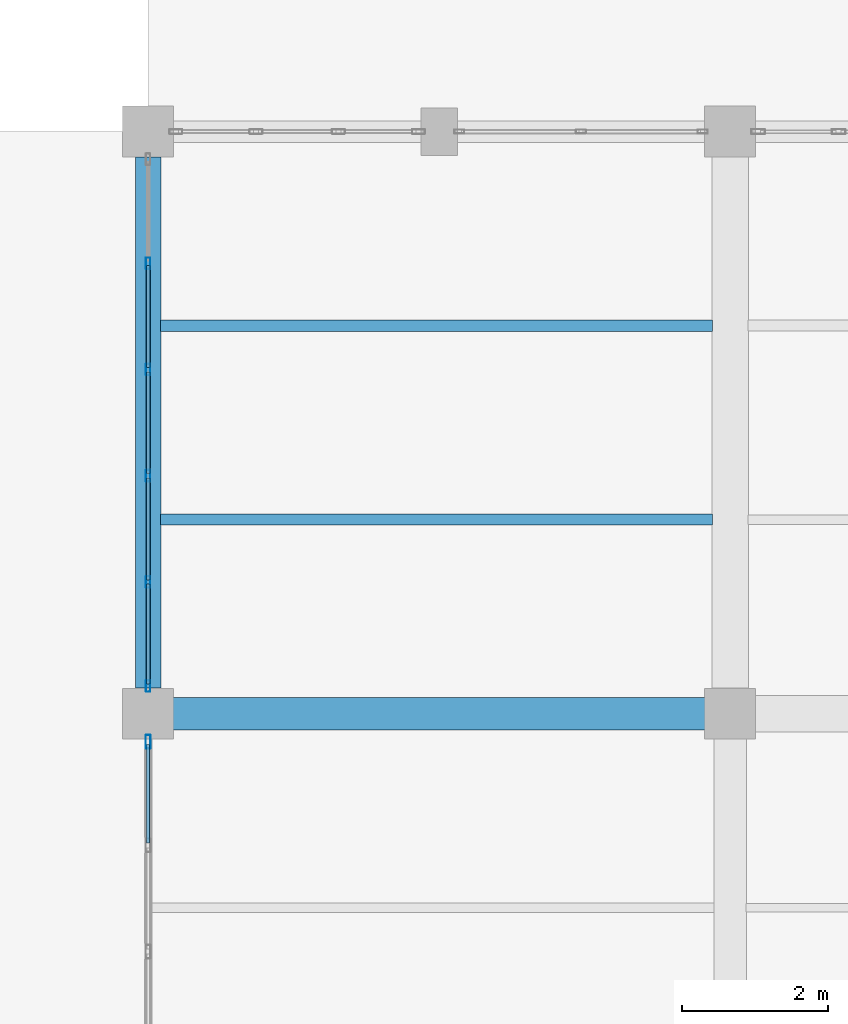
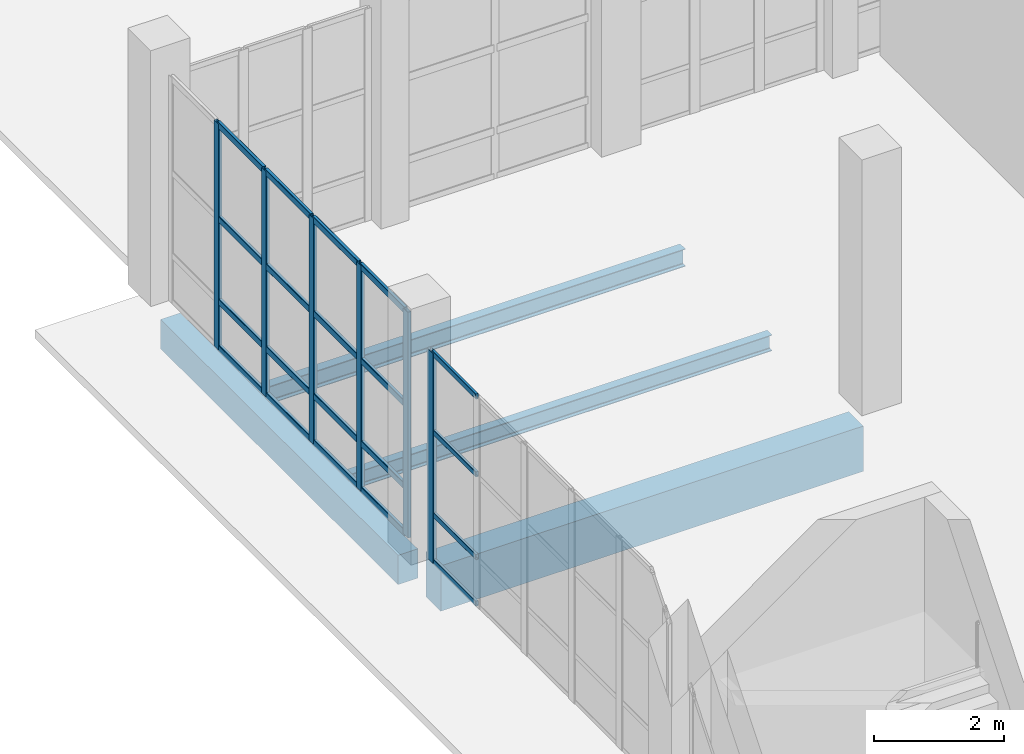
# One storey, part 10 of 156: 26 members, 4 beams, 2 elements without a shape of their own.
"""IFC4 building model written with IfcOpenShell, lengths in metres."""

from ifc_helpers import new_model, si_unit, direction, frame, origin, origin_2d, place, context, subcontext, project, spatial, rectangle, hollow_rectangle, i_section, extrude, material, material_profile, profile_set, type_object, element, aggregate, save


model = new_model("IFC4")

# Units and contexts
model_context = context("Model", 3, precision=1e-05, world=origin(), true_north=direction((0.0, 1.0)))
body_context = subcontext(model_context, "Body", "Model", "MODEL_VIEW")
ifc_project = project(units=[si_unit("LENGTHUNIT", "METRE"), si_unit("AREAUNIT", "SQUARE_METRE"), si_unit("VOLUMEUNIT", "CUBIC_METRE"), si_unit("PLANEANGLEUNIT", "RADIAN"), si_unit("MASSUNIT", "GRAM", prefix="KILO")], contexts=[model_context])

# Site, building, storey
site_placement = place(None, origin())
site = spatial("IfcSite", under=ifc_project, at=site_placement, CompositionType="ELEMENT")
building_placement = place(site_placement, origin())
building = spatial("IfcBuilding", under=site, at=building_placement, Name="Luwemba Playhouse", CompositionType="ELEMENT")
storey_placement = place(building_placement, origin())
storey = spatial("IfcBuildingStorey", under=building, at=storey_placement, Name="L00", CompositionType="ELEMENT", Elevation=0.0)

# Beams
ifc_material_1 = material(Name="Concrete C40/50", Category="concrete")
ifc_material_profile_1 = material_profile(ifc_material_1, rectangle(XDim=0.449951171875, YDim=0.85009765625, at=origin_2d()))
ifc_profile_set_1 = profile_set([ifc_material_profile_1], Name="Concrete C40/50")
beam_type_1 = type_object("IfcBeamType", Name="BM-RB05", PredefinedType="BEAM", material=ifc_profile_set_1)
beam_1_placement = place(storey_placement, frame((4.25, 19.0, -0.72509765625), z_axis=(1.0, 0.0, 0.0), x_axis=(0.0, 1.0, 0.0)))
element("IfcBeam", 1, at=beam_1_placement, inside=storey, type_object=beam_type_1, Name="L00 grid girder 0164", PredefinedType="BEAM", context=body_context, shape_type="SweptSolid", body=[
    extrude(rectangle(XDim=0.449951171875, YDim=0.85009765625, at=origin_2d()), origin(), (0.0, 0.0, 1.0), 7.5),
])
ifc_material_2 = material(Name="Steel S355", Category="steel")
ifc_material_profile_2 = material_profile(ifc_material_2, i_section(OverallWidth=0.14990234375, OverallDepth=0.300048828125, WebThickness=0.007080078125, FlangeThickness=0.0107421875, FilletRadius=0.014892578125, at=origin_2d()))
ifc_profile_set_2 = profile_set([ifc_material_profile_2], Name="Steel S355")
beam_type_2 = type_object("IfcBeamType", Name="BM-SJ05", PredefinedType="JOIST", material=ifc_profile_set_2)
beam_2_placement = place(storey_placement, frame((4.1708984375, 21.666748046875, -0.449951171875), z_axis=(1.0, 0.0, 0.0), x_axis=(0.0, 1.0, 0.0)))
element("IfcBeam", 2, at=beam_2_placement, inside=storey, type_object=beam_type_2, Name="L00 composite floor joist 0121", PredefinedType="JOIST", context=body_context, shape_type="SweptSolid", body=[
    extrude(i_section(OverallWidth=0.14990234375, OverallDepth=0.300048828125, WebThickness=0.007080078125, FlangeThickness=0.0107421875, FilletRadius=0.014892578125, at=origin_2d()), origin(), (0.0, 0.0, 1.0), 7.5830078125),
])
ifc_material_profile_3 = material_profile(ifc_material_2, i_section(OverallWidth=0.159912109375, OverallDepth=0.330078125, WebThickness=0.007568359375, FlangeThickness=0.011474609375, FilletRadius=0.01806640625, at=origin_2d()))
ifc_profile_set_3 = profile_set([ifc_material_profile_3], Name="Steel S355")
beam_type_3 = type_object("IfcBeamType", Name="BM-SJ06", PredefinedType="JOIST", material=ifc_profile_set_3)
beam_3_placement = place(storey_placement, frame((4.1708984375, 24.333251953125, -0.465087890625), z_axis=(1.0, 0.0, 0.0), x_axis=(0.0, 1.0, 0.0)))
element("IfcBeam", 3, at=beam_3_placement, inside=storey, type_object=beam_type_3, Name="L00 composite floor joist 0122", PredefinedType="JOIST", context=body_context, shape_type="SweptSolid", body=[
    extrude(i_section(OverallWidth=0.159912109375, OverallDepth=0.330078125, WebThickness=0.007568359375, FlangeThickness=0.011474609375, FilletRadius=0.01806640625, at=origin_2d()), origin(), (0.0, 0.0, 1.0), 7.5830078125),
])
ifc_material_profile_4 = material_profile(ifc_material_1, rectangle(XDim=0.35009765625, YDim=0.550048828125, at=origin_2d()))
ifc_profile_set_4 = profile_set([ifc_material_profile_4], Name="Concrete C40/50")
beam_type_4 = type_object("IfcBeamType", Name="BM-SP2", PredefinedType="SPANDREL", material=ifc_profile_set_4)
beam_4_placement = place(storey_placement, frame((4.0, 19.35009765625, -0.574951171875), z_axis=(0.0, 1.0, 0.0), x_axis=(-1.0, 0.0, 0.0)))
element("IfcBeam", 4, at=beam_4_placement, inside=storey, type_object=beam_type_4, Name="L00 transverse girder 0180", PredefinedType="SPANDREL", context=body_context, shape_type="SweptSolid", body=[
    extrude(rectangle(XDim=0.35009765625, YDim=0.550048828125, at=origin_2d()), origin(), (0.0, 0.0, 1.0), 7.2998046875),
])

# Curtain wall, members
ifc_material_3 = material(Name="Solar-control double glazing", Category="glass")
curtain_wall_type_1 = type_object("IfcCurtainWallType", Name="CW-CW25", PredefinedType="USERDEFINED", material=ifc_material_3)
curtain_wall_1_placement = place(storey_placement, origin())
curtain_wall_1 = element("IfcCurtainWall", 5, at=curtain_wall_1_placement, inside=storey, type_object=curtain_wall_type_1, Name="L00 V5W unitised curtain wall 027", ObjectType="UNITISED GLAZING", PredefinedType="USERDEFINED")
ifc_material_4 = material(Name="Aluminium 6063-T6", Category="aluminium")
ifc_material_profile_5 = material_profile(ifc_material_4, hollow_rectangle(XDim=0.06005859375, YDim=0.159912109375, WallThickness=0.00390625, InnerFilletRadius=0.006103515625, OuterFilletRadius=0.010009765625, at=origin_2d()))
ifc_profile_set_5 = profile_set([ifc_material_profile_5], Name="Aluminium 6063-T6")
member_type_1 = type_object("IfcMemberType", Name="CWM-M1", PredefinedType="MULLION", material=ifc_profile_set_5)
member_1_placement = place(storey_placement, frame((4.0, 19.3798828125, 0.0), z_axis=(0.0, 0.0, 1.0), x_axis=(-1.0, 0.0, 0.0)))
member_1 = element("IfcMember", 6, at=member_1_placement, type_object=member_type_1, Name="CW25 mullion 1", PredefinedType="MULLION", context=body_context, shape_type="SweptSolid", body=[
    extrude(hollow_rectangle(XDim=0.06005859375, YDim=0.159912109375, WallThickness=0.00390625, InnerFilletRadius=0.006103515625, OuterFilletRadius=0.010009765625, at=origin_2d()), origin(), (0.0, 0.0, 1.0), 4.235107421875),
])
member_2_placement = place(storey_placement, frame((4.0, 20.81005859375, 0.0), z_axis=(0.0, 0.0, 1.0), x_axis=(-1.0, 0.0, 0.0)))
member_2 = element("IfcMember", 7, at=member_2_placement, type_object=member_type_1, Name="CW25 mullion 2", PredefinedType="MULLION", context=body_context, shape_type="SweptSolid", body=[
    extrude(hollow_rectangle(XDim=0.06005859375, YDim=0.159912109375, WallThickness=0.00390625, InnerFilletRadius=0.006103515625, OuterFilletRadius=0.010009765625, at=origin_2d()), origin(), (0.0, 0.0, 1.0), 4.235107421875),
])
member_3_placement = place(storey_placement, frame((4.0, 22.27001953125, 0.0), z_axis=(0.0, 0.0, 1.0), x_axis=(-1.0, 0.0, 0.0)))
member_3 = element("IfcMember", 8, at=member_3_placement, type_object=member_type_1, Name="CW25 mullion 3", PredefinedType="MULLION", context=body_context, shape_type="SweptSolid", body=[
    extrude(hollow_rectangle(XDim=0.06005859375, YDim=0.159912109375, WallThickness=0.00390625, InnerFilletRadius=0.006103515625, OuterFilletRadius=0.010009765625, at=origin_2d()), origin(), (0.0, 0.0, 1.0), 4.235107421875),
])
member_4_placement = place(storey_placement, frame((4.0, 23.72998046875, 0.0), z_axis=(0.0, 0.0, 1.0), x_axis=(-1.0, 0.0, 0.0)))
member_4 = element("IfcMember", 9, at=member_4_placement, type_object=member_type_1, Name="CW25 mullion 4", PredefinedType="MULLION", context=body_context, shape_type="SweptSolid", body=[
    extrude(hollow_rectangle(XDim=0.06005859375, YDim=0.159912109375, WallThickness=0.00390625, InnerFilletRadius=0.006103515625, OuterFilletRadius=0.010009765625, at=origin_2d()), origin(), (0.0, 0.0, 1.0), 4.235107421875),
])
member_5_placement = place(storey_placement, frame((4.0, 25.18994140625, 0.0), z_axis=(0.0, 0.0, 1.0), x_axis=(-1.0, 0.0, 0.0)))
member_5 = element("IfcMember", 10, at=member_5_placement, type_object=member_type_1, Name="CW25 mullion 5", PredefinedType="MULLION", context=body_context, shape_type="SweptSolid", body=[
    extrude(hollow_rectangle(XDim=0.06005859375, YDim=0.159912109375, WallThickness=0.00390625, InnerFilletRadius=0.006103515625, OuterFilletRadius=0.010009765625, at=origin_2d()), origin(), (0.0, 0.0, 1.0), 4.235107421875),
])

# Curtain wall, member
curtain_wall_type_2 = type_object("IfcCurtainWallType", Name="CW-CW24", PredefinedType="USERDEFINED", material=ifc_material_3)
curtain_wall_2_placement = place(storey_placement, origin())
curtain_wall_2 = element("IfcCurtainWall", 11, at=curtain_wall_2_placement, inside=storey, type_object=curtain_wall_type_2, Name="L00 V5W unitised curtain wall 026", ObjectType="UNITISED GLAZING", PredefinedType="USERDEFINED")
ifc_material_profile_6 = material_profile(ifc_material_4, hollow_rectangle(XDim=0.070068359375, YDim=0.18994140625, WallThickness=0.0048828125, InnerFilletRadius=0.007568359375, OuterFilletRadius=0.012451171875, at=origin_2d()))
ifc_profile_set_6 = profile_set([ifc_material_profile_6], Name="Aluminium 6063-T6")
member_type_2 = type_object("IfcMemberType", Name="CWM-M4", PredefinedType="MULLION", material=ifc_profile_set_6)
member_6_placement = place(storey_placement, frame((4.0, 18.614990234375, 0.0), z_axis=(0.0, 0.0, 1.0), x_axis=(-1.0, 0.0, 0.0)))
member_6 = element("IfcMember", 12, at=member_6_placement, type_object=member_type_2, Name="CW24 mullion 6", PredefinedType="MULLION", context=body_context, shape_type="SweptSolid", body=[
    extrude(hollow_rectangle(XDim=0.070068359375, YDim=0.18994140625, WallThickness=0.0048828125, InnerFilletRadius=0.007568359375, OuterFilletRadius=0.012451171875, at=origin_2d()), origin(), (0.0, 0.0, 1.0), 3.93505859375),
])

# Member
ifc_material_profile_7 = material_profile(ifc_material_4, hollow_rectangle(XDim=0.06005859375, YDim=0.1201171875, WallThickness=0.00390625, InnerFilletRadius=0.006103515625, OuterFilletRadius=0.010009765625, at=origin_2d()))
ifc_profile_set_7 = profile_set([ifc_material_profile_7], Name="Aluminium 6063-T6")
member_type_3 = type_object("IfcMemberType", Name="CWT-T1", PredefinedType="USERDEFINED", material=ifc_profile_set_7)
member_7_placement = place(storey_placement, frame((4.0, 19.409912109375, 0.030029296875), z_axis=(0.0, 1.0, 0.0), x_axis=(-1.0, 0.0, 0.0)))
member_7 = element("IfcMember", 13, at=member_7_placement, type_object=member_type_3, Name="CW25 transom 1.1", ObjectType="TRANSOM", PredefinedType="USERDEFINED", context=body_context, shape_type="SweptSolid", body=[
    extrude(hollow_rectangle(XDim=0.06005859375, YDim=0.1201171875, WallThickness=0.00390625, InnerFilletRadius=0.006103515625, OuterFilletRadius=0.010009765625, at=origin_2d()), origin(), (0.0, 0.0, 1.0), 1.3701171875),
])

member_8_placement = place(storey_placement, frame((4.0, 19.409912109375, 0.89990234375), z_axis=(0.0, 1.0, 0.0), x_axis=(-1.0, 0.0, 0.0)))
member_8 = element("IfcMember", 14, at=member_8_placement, type_object=member_type_3, Name="CW25 transom 1.2", ObjectType="TRANSOM", PredefinedType="USERDEFINED", context=body_context, shape_type="SweptSolid", body=[
    extrude(hollow_rectangle(XDim=0.06005859375, YDim=0.1201171875, WallThickness=0.00390625, InnerFilletRadius=0.006103515625, OuterFilletRadius=0.010009765625, at=origin_2d()), origin(), (0.0, 0.0, 1.0), 1.3701171875),
])

member_9_placement = place(storey_placement, frame((4.0, 19.409912109375, 2.449951171875), z_axis=(0.0, 1.0, 0.0), x_axis=(-1.0, 0.0, 0.0)))
member_9 = element("IfcMember", 15, at=member_9_placement, type_object=member_type_3, Name="CW25 transom 1.3", ObjectType="TRANSOM", PredefinedType="USERDEFINED", context=body_context, shape_type="SweptSolid", body=[
    extrude(hollow_rectangle(XDim=0.06005859375, YDim=0.1201171875, WallThickness=0.00390625, InnerFilletRadius=0.006103515625, OuterFilletRadius=0.010009765625, at=origin_2d()), origin(), (0.0, 0.0, 1.0), 1.3701171875),
])

member_10_placement = place(storey_placement, frame((4.0, 19.409912109375, 4.205078125), z_axis=(0.0, 1.0, 0.0), x_axis=(-1.0, 0.0, 0.0)))
member_10 = element("IfcMember", 16, at=member_10_placement, type_object=member_type_3, Name="CW25 transom 1.4", ObjectType="TRANSOM", PredefinedType="USERDEFINED", context=body_context, shape_type="SweptSolid", body=[
    extrude(hollow_rectangle(XDim=0.06005859375, YDim=0.1201171875, WallThickness=0.00390625, InnerFilletRadius=0.006103515625, OuterFilletRadius=0.010009765625, at=origin_2d()), origin(), (0.0, 0.0, 1.0), 1.3701171875),
])

member_11_placement = place(storey_placement, frame((4.0, 20.840087890625, 0.030029296875), z_axis=(0.0, 1.0, 0.0), x_axis=(-1.0, 0.0, 0.0)))
member_11 = element("IfcMember", 17, at=member_11_placement, type_object=member_type_3, Name="CW25 transom 2.1", ObjectType="TRANSOM", PredefinedType="USERDEFINED", context=body_context, shape_type="SweptSolid", body=[
    extrude(hollow_rectangle(XDim=0.06005859375, YDim=0.1201171875, WallThickness=0.00390625, InnerFilletRadius=0.006103515625, OuterFilletRadius=0.010009765625, at=origin_2d()), origin(), (0.0, 0.0, 1.0), 1.39990234375),
])

member_12_placement = place(storey_placement, frame((4.0, 20.840087890625, 0.89990234375), z_axis=(0.0, 1.0, 0.0), x_axis=(-1.0, 0.0, 0.0)))
member_12 = element("IfcMember", 18, at=member_12_placement, type_object=member_type_3, Name="CW25 transom 2.2", ObjectType="TRANSOM", PredefinedType="USERDEFINED", context=body_context, shape_type="SweptSolid", body=[
    extrude(hollow_rectangle(XDim=0.06005859375, YDim=0.1201171875, WallThickness=0.00390625, InnerFilletRadius=0.006103515625, OuterFilletRadius=0.010009765625, at=origin_2d()), origin(), (0.0, 0.0, 1.0), 1.39990234375),
])

member_13_placement = place(storey_placement, frame((4.0, 20.840087890625, 2.449951171875), z_axis=(0.0, 1.0, 0.0), x_axis=(-1.0, 0.0, 0.0)))
member_13 = element("IfcMember", 19, at=member_13_placement, type_object=member_type_3, Name="CW25 transom 2.3", ObjectType="TRANSOM", PredefinedType="USERDEFINED", context=body_context, shape_type="SweptSolid", body=[
    extrude(hollow_rectangle(XDim=0.06005859375, YDim=0.1201171875, WallThickness=0.00390625, InnerFilletRadius=0.006103515625, OuterFilletRadius=0.010009765625, at=origin_2d()), origin(), (0.0, 0.0, 1.0), 1.39990234375),
])

member_14_placement = place(storey_placement, frame((4.0, 20.840087890625, 4.205078125), z_axis=(0.0, 1.0, 0.0), x_axis=(-1.0, 0.0, 0.0)))
member_14 = element("IfcMember", 20, at=member_14_placement, type_object=member_type_3, Name="CW25 transom 2.4", ObjectType="TRANSOM", PredefinedType="USERDEFINED", context=body_context, shape_type="SweptSolid", body=[
    extrude(hollow_rectangle(XDim=0.06005859375, YDim=0.1201171875, WallThickness=0.00390625, InnerFilletRadius=0.006103515625, OuterFilletRadius=0.010009765625, at=origin_2d()), origin(), (0.0, 0.0, 1.0), 1.39990234375),
])

member_15_placement = place(storey_placement, frame((4.0, 22.300048828125, 0.030029296875), z_axis=(0.0, 1.0, 0.0), x_axis=(-1.0, 0.0, 0.0)))
member_15 = element("IfcMember", 21, at=member_15_placement, type_object=member_type_3, Name="CW25 transom 3.1", ObjectType="TRANSOM", PredefinedType="USERDEFINED", context=body_context, shape_type="SweptSolid", body=[
    extrude(hollow_rectangle(XDim=0.06005859375, YDim=0.1201171875, WallThickness=0.00390625, InnerFilletRadius=0.006103515625, OuterFilletRadius=0.010009765625, at=origin_2d()), origin(), (0.0, 0.0, 1.0), 1.39990234375),
])

member_16_placement = place(storey_placement, frame((4.0, 22.300048828125, 0.89990234375), z_axis=(0.0, 1.0, 0.0), x_axis=(-1.0, 0.0, 0.0)))
member_16 = element("IfcMember", 22, at=member_16_placement, type_object=member_type_3, Name="CW25 transom 3.2", ObjectType="TRANSOM", PredefinedType="USERDEFINED", context=body_context, shape_type="SweptSolid", body=[
    extrude(hollow_rectangle(XDim=0.06005859375, YDim=0.1201171875, WallThickness=0.00390625, InnerFilletRadius=0.006103515625, OuterFilletRadius=0.010009765625, at=origin_2d()), origin(), (0.0, 0.0, 1.0), 1.39990234375),
])

member_17_placement = place(storey_placement, frame((4.0, 22.300048828125, 2.449951171875), z_axis=(0.0, 1.0, 0.0), x_axis=(-1.0, 0.0, 0.0)))
member_17 = element("IfcMember", 23, at=member_17_placement, type_object=member_type_3, Name="CW25 transom 3.3", ObjectType="TRANSOM", PredefinedType="USERDEFINED", context=body_context, shape_type="SweptSolid", body=[
    extrude(hollow_rectangle(XDim=0.06005859375, YDim=0.1201171875, WallThickness=0.00390625, InnerFilletRadius=0.006103515625, OuterFilletRadius=0.010009765625, at=origin_2d()), origin(), (0.0, 0.0, 1.0), 1.39990234375),
])

member_18_placement = place(storey_placement, frame((4.0, 22.300048828125, 4.205078125), z_axis=(0.0, 1.0, 0.0), x_axis=(-1.0, 0.0, 0.0)))
member_18 = element("IfcMember", 24, at=member_18_placement, type_object=member_type_3, Name="CW25 transom 3.4", ObjectType="TRANSOM", PredefinedType="USERDEFINED", context=body_context, shape_type="SweptSolid", body=[
    extrude(hollow_rectangle(XDim=0.06005859375, YDim=0.1201171875, WallThickness=0.00390625, InnerFilletRadius=0.006103515625, OuterFilletRadius=0.010009765625, at=origin_2d()), origin(), (0.0, 0.0, 1.0), 1.39990234375),
])

member_19_placement = place(storey_placement, frame((4.0, 23.760009765625, 0.030029296875), z_axis=(0.0, 1.0, 0.0), x_axis=(-1.0, 0.0, 0.0)))
member_19 = element("IfcMember", 25, at=member_19_placement, type_object=member_type_3, Name="CW25 transom 4.1", ObjectType="TRANSOM", PredefinedType="USERDEFINED", context=body_context, shape_type="SweptSolid", body=[
    extrude(hollow_rectangle(XDim=0.06005859375, YDim=0.1201171875, WallThickness=0.00390625, InnerFilletRadius=0.006103515625, OuterFilletRadius=0.010009765625, at=origin_2d()), origin(), (0.0, 0.0, 1.0), 1.39990234375),
])

member_20_placement = place(storey_placement, frame((4.0, 23.760009765625, 0.89990234375), z_axis=(0.0, 1.0, 0.0), x_axis=(-1.0, 0.0, 0.0)))
member_20 = element("IfcMember", 26, at=member_20_placement, type_object=member_type_3, Name="CW25 transom 4.2", ObjectType="TRANSOM", PredefinedType="USERDEFINED", context=body_context, shape_type="SweptSolid", body=[
    extrude(hollow_rectangle(XDim=0.06005859375, YDim=0.1201171875, WallThickness=0.00390625, InnerFilletRadius=0.006103515625, OuterFilletRadius=0.010009765625, at=origin_2d()), origin(), (0.0, 0.0, 1.0), 1.39990234375),
])

member_21_placement = place(storey_placement, frame((4.0, 23.760009765625, 2.449951171875), z_axis=(0.0, 1.0, 0.0), x_axis=(-1.0, 0.0, 0.0)))
member_21 = element("IfcMember", 27, at=member_21_placement, type_object=member_type_3, Name="CW25 transom 4.3", ObjectType="TRANSOM", PredefinedType="USERDEFINED", context=body_context, shape_type="SweptSolid", body=[
    extrude(hollow_rectangle(XDim=0.06005859375, YDim=0.1201171875, WallThickness=0.00390625, InnerFilletRadius=0.006103515625, OuterFilletRadius=0.010009765625, at=origin_2d()), origin(), (0.0, 0.0, 1.0), 1.39990234375),
])

member_22_placement = place(storey_placement, frame((4.0, 23.760009765625, 4.205078125), z_axis=(0.0, 1.0, 0.0), x_axis=(-1.0, 0.0, 0.0)))
member_22 = element("IfcMember", 28, at=member_22_placement, type_object=member_type_3, Name="CW25 transom 4.4", ObjectType="TRANSOM", PredefinedType="USERDEFINED", context=body_context, shape_type="SweptSolid", body=[
    extrude(hollow_rectangle(XDim=0.06005859375, YDim=0.1201171875, WallThickness=0.00390625, InnerFilletRadius=0.006103515625, OuterFilletRadius=0.010009765625, at=origin_2d()), origin(), (0.0, 0.0, 1.0), 1.39990234375),
])

aggregate(curtain_wall_1, [member_1, member_2, member_3, member_4, member_5, member_7, member_8, member_9, member_10, member_11, member_12, member_13, member_14, member_15, member_16, member_17, member_18, member_19, member_20, member_21, member_22])

ifc_material_profile_8 = material_profile(ifc_material_4, hollow_rectangle(XDim=0.050048828125, YDim=0.10009765625, WallThickness=0.00341796875, InnerFilletRadius=0.00537109375, OuterFilletRadius=0.0087890625, at=origin_2d()))
ifc_profile_set_8 = profile_set([ifc_material_profile_8], Name="Aluminium 6063-T6")
member_type_4 = type_object("IfcMemberType", Name="CWT-T4", PredefinedType="USERDEFINED", material=ifc_profile_set_8)
member_23_placement = place(storey_placement, frame((4.0, 17.22509765625, 0.02490234375), z_axis=(0.0, 1.0, 0.0), x_axis=(-1.0, 0.0, 0.0)))
member_23 = element("IfcMember", 29, at=member_23_placement, type_object=member_type_4, Name="CW24 transom 5.1", ObjectType="TRANSOM", PredefinedType="USERDEFINED", context=body_context, shape_type="SweptSolid", body=[
    extrude(hollow_rectangle(XDim=0.050048828125, YDim=0.10009765625, WallThickness=0.00341796875, InnerFilletRadius=0.00537109375, OuterFilletRadius=0.0087890625, at=origin_2d()), origin(), (0.0, 0.0, 1.0), 1.35498046875),
])

member_24_placement = place(storey_placement, frame((4.0, 17.22509765625, 0.89990234375), z_axis=(0.0, 1.0, 0.0), x_axis=(-1.0, 0.0, 0.0)))
member_24 = element("IfcMember", 30, at=member_24_placement, type_object=member_type_4, Name="CW24 transom 5.2", ObjectType="TRANSOM", PredefinedType="USERDEFINED", context=body_context, shape_type="SweptSolid", body=[
    extrude(hollow_rectangle(XDim=0.050048828125, YDim=0.10009765625, WallThickness=0.00341796875, InnerFilletRadius=0.00537109375, OuterFilletRadius=0.0087890625, at=origin_2d()), origin(), (0.0, 0.0, 1.0), 1.35498046875),
])

member_25_placement = place(storey_placement, frame((4.0, 17.22509765625, 2.449951171875), z_axis=(0.0, 1.0, 0.0), x_axis=(-1.0, 0.0, 0.0)))
member_25 = element("IfcMember", 31, at=member_25_placement, type_object=member_type_4, Name="CW24 transom 5.3", ObjectType="TRANSOM", PredefinedType="USERDEFINED", context=body_context, shape_type="SweptSolid", body=[
    extrude(hollow_rectangle(XDim=0.050048828125, YDim=0.10009765625, WallThickness=0.00341796875, InnerFilletRadius=0.00537109375, OuterFilletRadius=0.0087890625, at=origin_2d()), origin(), (0.0, 0.0, 1.0), 1.35498046875),
])

member_26_placement = place(storey_placement, frame((4.0, 17.22509765625, 3.909912109375), z_axis=(0.0, 1.0, 0.0), x_axis=(-1.0, 0.0, 0.0)))
member_26 = element("IfcMember", 32, at=member_26_placement, type_object=member_type_4, Name="CW24 transom 5.4", ObjectType="TRANSOM", PredefinedType="USERDEFINED", context=body_context, shape_type="SweptSolid", body=[
    extrude(hollow_rectangle(XDim=0.050048828125, YDim=0.10009765625, WallThickness=0.00341796875, InnerFilletRadius=0.00537109375, OuterFilletRadius=0.0087890625, at=origin_2d()), origin(), (0.0, 0.0, 1.0), 1.35498046875),
])

aggregate(curtain_wall_2, [member_6, member_23, member_24, member_25, member_26])

save(model, "model.ifc")
